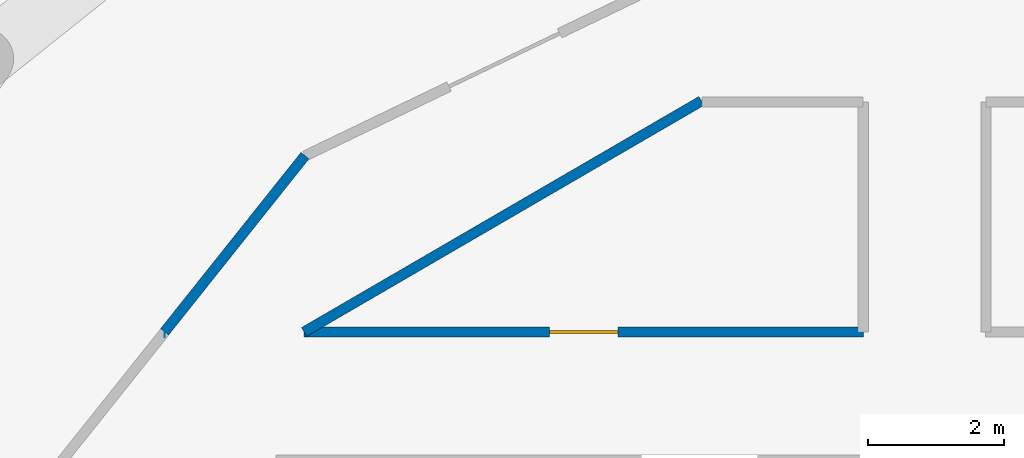
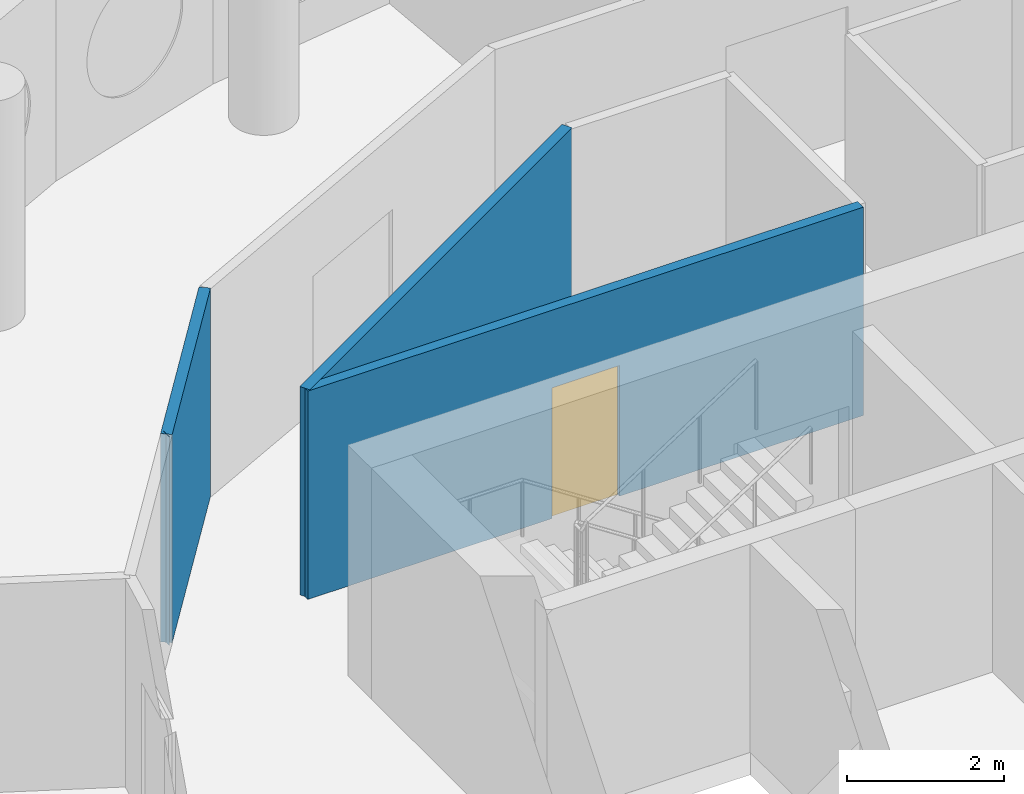
# One storey, part 7 of 12: 4 walls, 1 door, 1 opening.
"""IFC4 building model written with IfcOpenShell, lengths in metres."""

from ifc_helpers import new_model, si_unit, direction, frame, frame_2d, origin, place, context, subcontext, project, spatial, rectangle, extrude, material, layer, layer_set, type_object, element, fill, save


model = new_model("IFC4")

# Units and contexts
model_context = context("Model", 3, precision=1e-05, world=origin(), true_north=direction((0.0, 1.0)))
body_context = subcontext(model_context, "Body", "Model", "MODEL_VIEW")
ifc_project = project(units=[si_unit("LENGTHUNIT", "METRE"), si_unit("AREAUNIT", "SQUARE_METRE"), si_unit("VOLUMEUNIT", "CUBIC_METRE"), si_unit("PLANEANGLEUNIT", "RADIAN"), si_unit("MASSUNIT", "GRAM", prefix="KILO")], contexts=[model_context])

# Site, building, storey
site_placement = place(None, origin())
site = spatial("IfcSite", under=ifc_project, at=site_placement, CompositionType="ELEMENT")
building_placement = place(site_placement, origin())
building = spatial("IfcBuilding", under=site, at=building_placement, Name="Tracery Tower", CompositionType="ELEMENT")
storey_placement = place(building_placement, frame((0.0, 0.0, 287.39990234375)))
storey = spatial("IfcBuildingStorey", under=building, at=storey_placement, Name="L74", CompositionType="ELEMENT", Elevation=287.39990234375)

# Wall
ifc_material_1 = material(Name="Plasterboard on steel studs", Category="steel")
ifc_layer = layer(ifc_material_1, 0.14990234375)
ifc_layer_set = layer_set([ifc_layer], Name="Partition 150 corridor wall")
wall_type = type_object("IfcWallType", Name="Partition 150 corridor wall", PredefinedType="PARTITIONING", material=ifc_layer_set)
wall_1_placement = place(storey_placement, frame((-9.092041015625, 8.800048828125, 0.0), z_axis=(0.0, 0.0, 1.0), x_axis=(0.864470922103, 0.502682827277, 0.0)))
element("IfcWall", 1, at=wall_1_placement, inside=storey, type_object=wall_type, Name="Corridor wall RC6-001", PredefinedType="PARTITIONING", context=body_context, shape_type="SweptSolid", body=[
    extrude(rectangle(XDim=6.7353515625, YDim=0.14990234375, at=frame_2d((3.36767578125, 0.0))), origin(), (0.0, 0.0, 1.0), 3.25),
])

# Wall, opening, door
wall_2_placement = place(storey_placement, frame((-9.092041015625, 8.800048828125, 0.0), z_axis=(0.0, 0.0, 1.0), x_axis=(1.0, 0.0, 0.0)))
wall_2 = element("IfcWall", 2, at=wall_2_placement, inside=storey, type_object=wall_type, Name="Corridor wall RC6-002", PredefinedType="PARTITIONING", context=body_context, shape_type="SweptSolid", body=[
    extrude(rectangle(XDim=8.196044921875, YDim=0.14990234375, at=frame_2d((4.09814453125, 0.0))), origin(), (0.0, 0.0, 1.0), 3.25),
])
opening_placement = place(wall_2_placement, frame((3.597900390625, 0.0, 0.0)))
opening = element("IfcOpeningElement", 3, at=opening_placement, cuts=wall_2, Name="Opening RC6-01", PredefinedType="OPENING", context=body_context, shape_type="SweptSolid", body=[
    extrude(rectangle(XDim=1.0, YDim=2.0400390625, at=frame_2d((0.5, 1.02001953125))), frame((0.0, 0.074951171875, 0.0), z_axis=(0.0, -1.0, 0.0), x_axis=(1.0, 0.0, 0.0)), (0.0, 0.0, 1.0), 0.14990234375),
])
ifc_material_2 = material(Name="Timber door leaf", Category="wood")
door_type = type_object("IfcDoorType", Name="Door communal room 1000", OperationType="NOTDEFINED", PredefinedType="DOOR", material=ifc_material_2)
door_placement = place(opening_placement, origin())
door = element("IfcDoor", 4, at=door_placement, inside=storey, type_object=door_type, Name="Communal room door RC6-01", OperationType="SINGLE_SWING_RIGHT", OverallHeight=2.0400390625, OverallWidth=1.0, PredefinedType="DOOR", context=body_context, shape_type="SweptSolid", body=[
    extrude(rectangle(XDim=1.0, YDim=2.0400390625, at=frame_2d((0.5, 1.02001953125))), frame((0.0, 0.02490234375, 0.0), z_axis=(0.0, -1.0, 0.0), x_axis=(1.0, 0.0, 0.0)), (0.0, 0.0, 1.0), 0.050048828125),
])
fill(opening, door)

# Walls
wall_3_placement = place(storey_placement, frame((-11.134033203125, 8.800048828125, 0.0), z_axis=(0.0, 0.0, 1.0), x_axis=(-1.0, 0.0, 0.0)))
element("IfcWall", 5, at=wall_3_placement, inside=storey, type_object=wall_type, Name="Corridor wall RC6-009", PredefinedType="PARTITIONING", context=body_context, shape_type="SweptSolid", body=[
    extrude(rectangle(XDim=0.0029296875, YDim=0.14990234375, at=frame_2d((0.00146484375, 0.0))), origin(), (0.0, 0.0, 1.0), 3.25),
])
wall_4_placement = place(storey_placement, frame((-11.135986328125, 8.802001953125, 0.0), z_axis=(0.0, 0.0, 1.0), x_axis=(0.623151397235, 0.782101231379, 0.0)))
element("IfcWall", 6, at=wall_4_placement, inside=storey, type_object=wall_type, Name="Corridor wall RC6-010", PredefinedType="PARTITIONING", context=body_context, shape_type="SweptSolid", body=[
    extrude(rectangle(XDim=3.30078125, YDim=0.14990234375, at=frame_2d((1.650390625, 0.0))), origin(), (0.0, 0.0, 1.0), 3.25),
])

save(model, "model.ifc")
